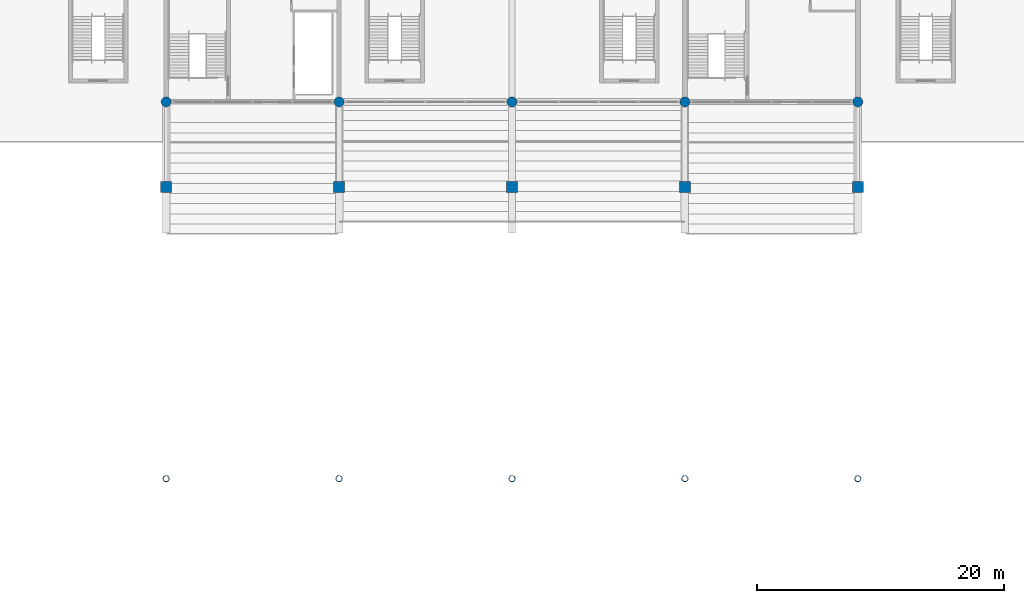
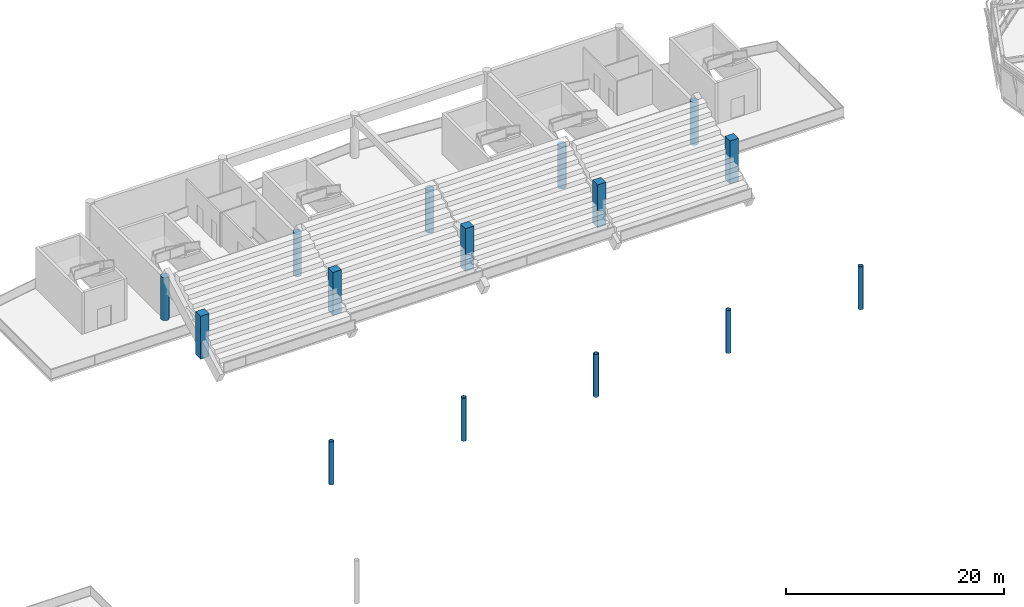
# One storey, part 11 of 94: 15 columns.
"""IFC4 building model written with IfcOpenShell, lengths in metres."""

from ifc_helpers import new_model, si_unit, direction, frame, origin, origin_2d, place, context, subcontext, project, spatial, rectangle, circle, hollow_circle, extrude, material, material_profile, profile_set, type_object, element, save


model = new_model("IFC4")

# Units and contexts
model_context = context("Model", 3, precision=1e-05, world=origin(), true_north=direction((0.0, 1.0)))
body_context = subcontext(model_context, "Body", "Model", "MODEL_VIEW")
ifc_project = project(units=[si_unit("LENGTHUNIT", "METRE"), si_unit("AREAUNIT", "SQUARE_METRE"), si_unit("VOLUMEUNIT", "CUBIC_METRE"), si_unit("PLANEANGLEUNIT", "RADIAN"), si_unit("MASSUNIT", "GRAM", prefix="KILO")], contexts=[model_context])

# Site, building, storey
site_placement = place(None, origin())
site = spatial("IfcSite", under=ifc_project, at=site_placement, CompositionType="ELEMENT")
building_placement = place(site_placement, origin())
building = spatial("IfcBuilding", under=site, at=building_placement, Name="Linyun Crest Stadium", CompositionType="ELEMENT")
storey_placement = place(building_placement, frame((0.0, 0.0, 16.199951171875)))
storey = spatial("IfcBuildingStorey", under=building, at=storey_placement, Name="L04", CompositionType="ELEMENT", Elevation=16.199951171875)

# Columns
ifc_material_1 = material(Name="Concrete C50", Category="concrete")
ifc_material_profile_1 = material_profile(ifc_material_1, rectangle(XDim=0.89990234375, YDim=0.89990234375, at=origin_2d()), Name="RC 900x900")
ifc_profile_set_1 = profile_set([ifc_material_profile_1], Name="Concrete C50")
column_type_1 = type_object("IfcColumnType", Name="C04", PredefinedType="COLUMN", material=ifc_profile_set_1)
for number, where, z_axis, x_axis, name in (
    (1, (-28.0, 84.625, 0.0), (0.0, 0.0, 1.0), (1.0, 0.0, 0.0), "Column C04 L04 576"),
    (2, (-14.0, 84.625, 0.0), (0.0, 0.0, 1.0), (1.0, 0.0, 0.0), "Column C04 L04 597"),
    (3, (0.0, 84.625, 0.0), (0.0, 0.0, 1.0), (1.0, 0.0, 0.0), "Column C04 L04 618"),
    (4, (14.0, 84.625, 0.0), (0.0, 0.0, 1.0), (1.0, 0.0, 0.0), "Column C04 L04 639"),
    (5, (28.0, 84.625, 0.0), (0.0, 0.0, 1.0), (1.0, 0.0, 0.0), "Column C04 L04 660"),
):
    element("IfcColumn", number, at=place(storey_placement, frame(where, z_axis=z_axis, x_axis=x_axis)), inside=storey, type_object=column_type_1, Name=name, PredefinedType="COLUMN", context=body_context, shape_type="SweptSolid", body=[
        extrude(rectangle(XDim=0.89990234375, YDim=0.89990234375, at=origin_2d()), origin(), (0.0, 0.0, 1.0), 4.798095703125),
    ])
ifc_material_2 = material(Name="Concrete C50", Category="concrete")
ifc_material_profile_2 = material_profile(ifc_material_2, circle(Radius=0.39990234375, at=origin_2d()), Name="RC D800")
ifc_profile_set_2 = profile_set([ifc_material_profile_2], Name="Concrete C50")
column_type_2 = type_object("IfcColumnType", Name="C07", PredefinedType="COLUMN", material=ifc_profile_set_2)
for number, where, z_axis, x_axis, name in (
    (6, (-28.0, 91.5, 0.0), (0.0, 0.0, 1.0), (1.0, 0.0, 0.0), "Column C07 L04 582"),
    (7, (-14.0, 91.5, 0.0), (0.0, 0.0, 1.0), (1.0, 0.0, 0.0), "Column C07 L04 603"),
    (8, (0.0, 91.5, 0.0), (0.0, 0.0, 1.0), (1.0, 0.0, 0.0), "Column C07 L04 624"),
    (9, (14.0, 91.5, 0.0), (0.0, 0.0, 1.0), (1.0, 0.0, 0.0), "Column C07 L04 645"),
    (10, (28.0, 91.5, 0.0), (0.0, 0.0, 1.0), (1.0, 0.0, 0.0), "Column C07 L04 666"),
):
    element("IfcColumn", number, at=place(storey_placement, frame(where, z_axis=z_axis, x_axis=x_axis)), inside=storey, type_object=column_type_2, Name=name, PredefinedType="COLUMN", context=body_context, shape_type="SweptSolid", body=[
        extrude(circle(Radius=0.39990234375, at=origin_2d()), origin(), (0.0, 0.0, 1.0), 4.798095703125),
    ])
ifc_material_3 = material(Name="Steel Q355C", Category="steel")
ifc_material_profile_3 = material_profile(ifc_material_3, hollow_circle(Radius=0.25390625, WallThickness=0.02490234375, at=origin_2d()), Name="CHS 508x25")
ifc_profile_set_3 = profile_set([ifc_material_profile_3], Name="Steel Q355C")
column_type_3 = type_object("IfcColumnType", Name="SC05", PredefinedType="COLUMN", material=ifc_profile_set_3)
for number, where, z_axis, x_axis, name in (
    (11, (-28.0, 61.0, 0.0), (0.0, 0.0, 1.0), (1.0, 0.0, 0.0), "Arch colonnade column SC05 L04 34"),
    (12, (-14.0, 61.0, 0.0), (0.0, 0.0, 1.0), (1.0, 0.0, 0.0), "Arch colonnade column SC05 L04 36"),
    (13, (0.0, 61.0, 0.0), (0.0, 0.0, 1.0), (1.0, 0.0, 0.0), "Arch colonnade column SC05 L04 38"),
    (14, (14.0, 61.0, 0.0), (0.0, 0.0, 1.0), (1.0, 0.0, 0.0), "Arch colonnade column SC05 L04 40"),
    (15, (28.0, 61.0, 0.0), (0.0, 0.0, 1.0), (1.0, 0.0, 0.0), "Arch colonnade column SC05 L04 42"),
):
    element("IfcColumn", number, at=place(storey_placement, frame(where, z_axis=z_axis, x_axis=x_axis)), inside=storey, type_object=column_type_3, Name=name, PredefinedType="COLUMN", context=body_context, shape_type="SweptSolid", body=[
        extrude(hollow_circle(Radius=0.25390625, WallThickness=0.02490234375, at=origin_2d()), origin(), (0.0, 0.0, 1.0), 4.800048828125),
    ])

save(model, "model.ifc")
